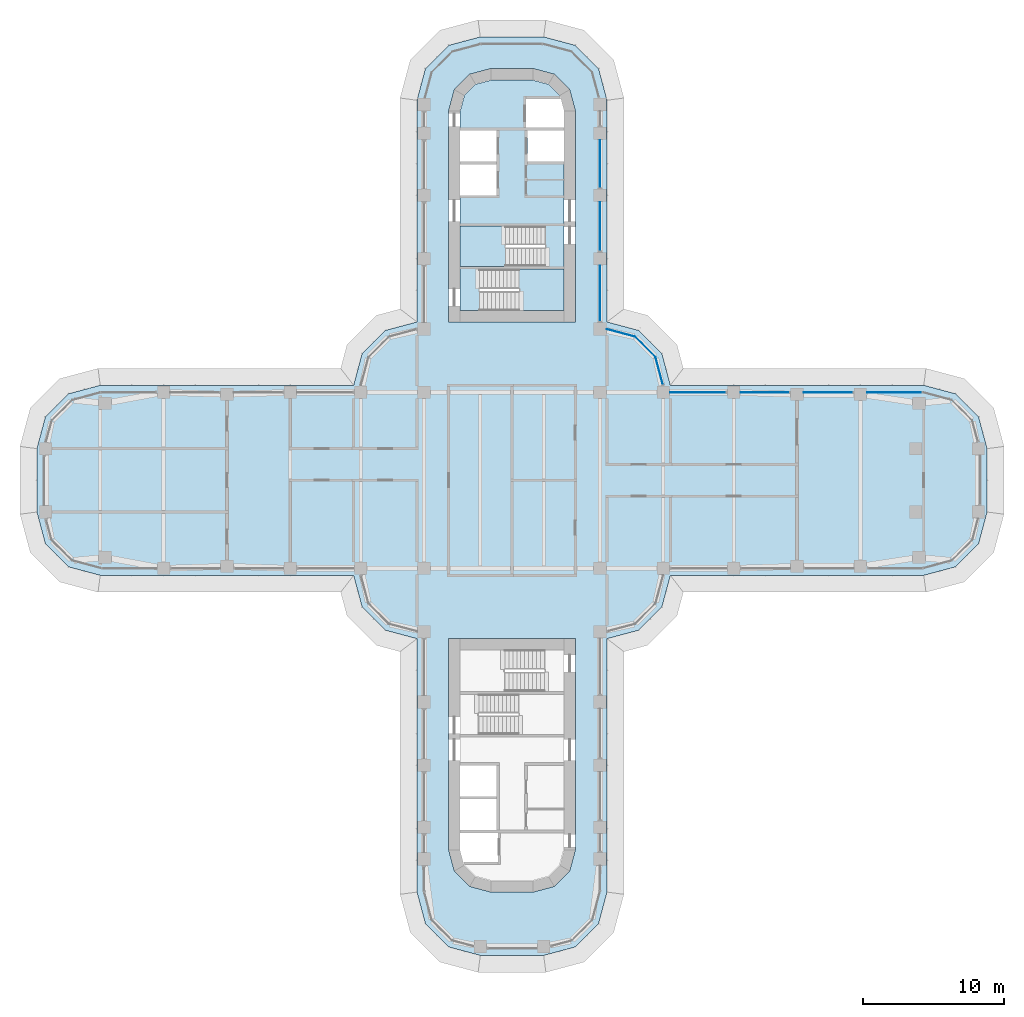
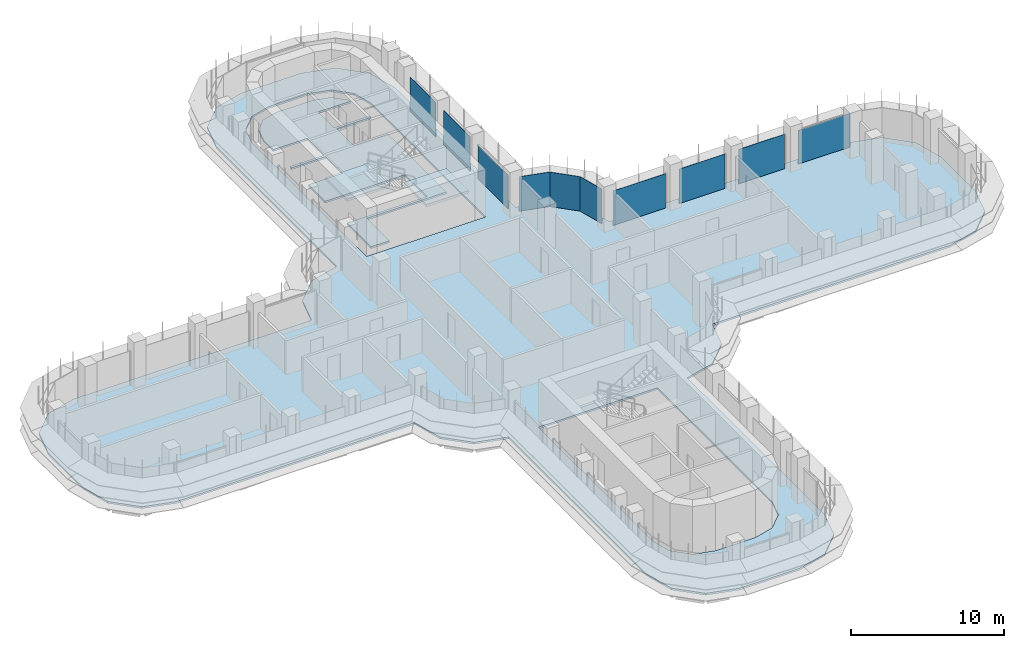
# One storey, part 14 of 22: 10 plates, 4 slabs, 7 elements without a shape of their own.
"""IFC4 building model written with IfcOpenShell, lengths in metres."""

from ifc_helpers import new_model, si_unit, direction, frame, origin, place, context, subcontext, project, spatial, polyline, outline, extrude, source, transform, mapped, material, layer, layer_set, type_object, element, aggregate, save


model = new_model("IFC4")

# Units and contexts
model_context = context("Model", 3, precision=1e-05, world=origin(), true_north=direction((0.0, 1.0)))
body_context = subcontext(model_context, "Body", "Model", "MODEL_VIEW")
ifc_project = project(units=[si_unit("LENGTHUNIT", "METRE"), si_unit("AREAUNIT", "SQUARE_METRE"), si_unit("VOLUMEUNIT", "CUBIC_METRE"), si_unit("PLANEANGLEUNIT", "RADIAN"), si_unit("MASSUNIT", "GRAM", prefix="KILO")], contexts=[model_context])

# Site, building, storey
site_placement = place(None, origin())
site = spatial("IfcSite", under=ifc_project, at=site_placement, CompositionType="ELEMENT")
building_placement = place(site_placement, origin())
building = spatial("IfcBuilding", under=site, at=building_placement, Name="Zarbagh Exchange Tower", CompositionType="ELEMENT")
storey_placement = place(building_placement, frame((0.0, 0.0, 105.60009765625)))
storey = spatial("IfcBuildingStorey", under=building, at=storey_placement, Name="L24", CompositionType="ELEMENT", Elevation=105.60009765625)

# Slabs
ifc_material_1 = material(Name="Concrete C40/50", Category="concrete")
ifc_layer_1 = layer(ifc_material_1, 0.14990234375)
ifc_layer_set_1 = layer_set([ifc_layer_1], Name="Composite floor slab 150 C40/50")
slab_type_1 = type_object("IfcSlabType", Name="Composite floor slab 150 C40/50", PredefinedType="FLOOR", material=ifc_layer_set_1)
slab_1_placement = place(storey_placement, frame((0.0, 0.0, -0.150146484375)))
element("IfcSlab", 1, at=slab_1_placement, inside=storey, type_object=slab_type_1, Name="S5 composite floor slab", PredefinedType="FLOOR", context=body_context, shape_type="SweptSolid", body=[
    extrude(outline(polyline([(-2.25, -33.75), (-4.5, -33.147216796875), (-6.147216796875, -31.5), (-6.75, -29.25), (-6.75, -11.25), (-9.0, -10.647216796875), (-10.647216796875, -9.0), (-11.25, -6.75), (-29.25, -6.75), (-31.5, -6.147216796875), (-33.147216796875, -4.5), (-33.75, -2.25), (-33.75, 2.25), (-33.147216796875, 4.5), (-31.5, 6.147216796875), (-29.25, 6.75), (-11.25, 6.75), (-10.647216796875, 9.0), (-9.0, 10.647216796875), (-6.75, 11.25), (-6.75, 27.0), (-6.147216796875, 29.25), (-4.5, 30.897216796875), (-2.25, 31.5), (2.25, 31.5), (4.5, 30.897216796875), (6.147216796875, 29.25), (6.75, 27.0), (6.75, 11.25), (9.0, 10.647216796875), (10.647216796875, 9.0), (11.25, 6.75), (29.25, 6.75), (31.5, 6.147216796875), (33.147216796875, 4.5), (33.75, 2.25), (33.75, -2.25), (33.147216796875, -4.5), (31.5, -6.147216796875), (29.25, -6.75), (11.25, -6.75), (10.647216796875, -9.0), (9.0, -10.647216796875), (6.75, -11.25), (6.75, -29.25), (6.147216796875, -31.5), (4.5, -33.147216796875), (2.25, -33.75), (-2.25, -33.75)]), holes=[polyline([(4.5, 11.25), (4.5, 26.25), (4.09814453125, 27.75), (3.0, 28.84814453125), (1.5, 29.25), (-1.5, 29.25), (-3.0, 28.84814453125), (-4.09814453125, 27.75), (-4.5, 26.25), (-4.5, 11.25), (4.5, 11.25)]), polyline([(-1.5, -29.25), (1.5, -29.25), (3.0, -28.84814453125), (4.09814453125, -27.75), (4.5, -26.25), (4.5, -11.25), (-4.5, -11.25), (-4.5, -26.25), (-4.09814453125, -27.75), (-3.0, -28.84814453125), (-1.5, -29.25)])]), origin(), (0.0, 0.0, 1.0), 0.150146484375),
])
ifc_layer_2 = layer(ifc_material_1, 0.14990234375)
ifc_layer_set_2 = layer_set([ifc_layer_2], Name="Core floor slab 150 C40/50")
slab_type_2 = type_object("IfcSlabType", Name="Core floor slab 150 C40/50", PredefinedType="FLOOR", material=ifc_layer_set_2)
slab_2_placement = place(storey_placement, frame((0.0, 0.0, -0.150146484375)))
element("IfcSlab", 2, at=slab_2_placement, inside=storey, type_object=slab_type_2, Name="S17 core N", PredefinedType="FLOOR", context=body_context, shape_type="SweptSolid", body=[
    extrude(outline(polyline([(-3.699951171875, 12.050048828125), (-3.699951171875, 15.199951171875), (2.35009765625, 15.199951171875), (2.35009765625, 18.050048828125), (-3.699951171875, 18.050048828125), (-3.699951171875, 20.25), (-1.10009765625, 20.25), (-1.10009765625, 22.449951171875), (-3.699951171875, 22.449951171875), (-3.699951171875, 22.64990234375), (-1.10009765625, 22.64990234375), (-1.10009765625, 24.85009765625), (-3.699951171875, 24.85009765625), (-3.699951171875, 26.144775390625), (-3.380859375, 27.3359375), (-2.5859375, 28.130859375), (-1.394775390625, 28.449951171875), (1.394775390625, 28.449951171875), (2.5859375, 28.130859375), (3.380859375, 27.3359375), (3.646484375, 26.3447265625), (3.444091796875, 27.10009765625), (1.0, 27.10009765625), (1.0, 25.050048828125), (3.699951171875, 25.050048828125), (3.699951171875, 24.85009765625), (1.10009765625, 24.85009765625), (1.10009765625, 22.64990234375), (3.699951171875, 22.64990234375), (3.699951171875, 15.0), (-2.300048828125, 15.0), (-2.300048828125, 12.050048828125), (-3.699951171875, 12.050048828125)])), origin(), (0.0, 0.0, 1.0), 0.150146484375),
])

# Stair, slab
stair_type = type_object("IfcStairType", Name="Exit stair two-flight half-turn", PredefinedType="HALF_TURN_STAIR", material=ifc_material_1)
stair_1_placement = place(storey_placement, origin())
stair_1 = element("IfcStair", 3, at=stair_1_placement, inside=storey, type_object=stair_type, Name="exit stair ST1", PredefinedType="HALF_TURN_STAIR")
ifc_layer_3 = layer(ifc_material_1, 0.199951171875)
ifc_layer_set_3 = layer_set([ifc_layer_3], Name="Stair landing 200 mm")
slab_type_3 = type_object("IfcSlabType", Name="Stair landing 200 mm", PredefinedType="LANDING", material=ifc_layer_set_3)
slab_3_placement = place(storey_placement, frame((0.0, 0.0, 1.699951171875)))
slab_3 = element("IfcSlab", 4, at=slab_3_placement, type_object=slab_type_3, Name="ST1 landing 1", PredefinedType="LANDING", context=body_context, shape_type="SweptSolid", body=[
    extrude(outline(polyline([(-0.449951171875, 18.050048828125), (-3.699951171875, 18.050048828125), (-3.699951171875, 15.199951171875), (-0.449951171875, 15.199951171875), (-0.449951171875, 18.050048828125)])), origin(), (0.0, 0.0, 1.0), 0.199951171875),
])
aggregate(stair_1, [slab_3])

stair_2_placement = place(storey_placement, origin())
stair_2 = element("IfcStair", 5, at=stair_2_placement, inside=storey, type_object=stair_type, Name="exit stair ST2", PredefinedType="HALF_TURN_STAIR")
slab_4_placement = place(storey_placement, frame((0.0, 0.0, 1.699951171875)))
slab_4 = element("IfcSlab", 6, at=slab_4_placement, type_object=slab_type_3, Name="ST2 landing 1", PredefinedType="LANDING", context=body_context, shape_type="SweptSolid", body=[
    extrude(outline(polyline([(0.5, 12.050048828125), (3.699951171875, 12.050048828125), (3.699951171875, 15.0), (0.5, 15.0), (0.5, 12.050048828125)])), origin(), (0.0, 0.0, 1.0), 0.199951171875),
])
aggregate(stair_2, [slab_4])

# Curtain wall, plate
ifc_material_2 = material(Name="Anodised aluminium frame and glazing", Category="aluminium")
curtain_wall_type = type_object("IfcCurtainWallType", Name="CWA Ribbon glazing, lower zones", PredefinedType="NOTDEFINED", material=ifc_material_2)
curtain_wall_1_placement = place(storey_placement, origin())
curtain_wall_1 = element("IfcCurtainWall", 7, at=curtain_wall_1_placement, inside=storey, type_object=curtain_wall_type, Name="CWA18 curtain wall", PredefinedType="NOTDEFINED")
ifc_material_3 = material(Name="Low-e double glazed unit, 6+12+6 mm")
ifc_layer_4 = layer(ifc_material_3, 0.028076171875)
ifc_layer_set_4 = layer_set([ifc_layer_4], Name="PAA Glazing panel, Low-e double glazed unit, 6+12+6 mm")
plate_type = type_object("IfcPlateType", Name="PAA Glazing panel, Low-e double glazed unit, 6+12+6 mm", PredefinedType="CURTAIN_PANEL", material=ifc_layer_set_4)
shared_shape_1 = source(origin(), body_context, "Body", "SweptSolid", [
    extrude(outline(polyline([(0.0, -0.013916015625), (2.061279296875, -0.013916015625), (2.061279296875, 0.013916015625), (0.0, 0.013916015625), (0.0, -0.013916015625)])), origin(), (0.0, 0.0, 1.0), 2.75),
])
placement = place(storey_placement, origin())
plate_1 = element("IfcPlate", 8, at=placement, type_object=plate_type, Name="CWA18 glazing panel 1.1", PredefinedType="CURTAIN_PANEL", context=body_context, shape_type="MappedRepresentation", body=[
    mapped(shared_shape_1, transform((10.19873046875, 8.7412109375, 0.0), x_axis=(-0.707106781187, 0.707106781187, 0.0), y_axis=(-0.707106781187, -0.707106781187, 0.0), z_axis=(0.0, 0.0, 1.0))),
])
aggregate(curtain_wall_1, [plate_1])

curtain_wall_2_placement = place(storey_placement, origin())
curtain_wall_2 = element("IfcCurtainWall", 9, at=curtain_wall_2_placement, inside=storey, type_object=curtain_wall_type, Name="CWA49 curtain wall", PredefinedType="NOTDEFINED")
shared_shape_2 = source(origin(), body_context, "Body", "SweptSolid", [
    extrude(outline(polyline([(0.0, -0.013916015625), (3.360107421875, -0.013916015625), (3.360107421875, 0.013916015625), (0.0, 0.013916015625), (0.0, -0.013916015625)])), origin(), (0.0, 0.0, 1.0), 2.75),
])
plate_2 = element("IfcPlate", 10, at=placement, type_object=plate_type, Name="CWA49 glazing panel 3.1", PredefinedType="CURTAIN_PANEL", context=body_context, shape_type="MappedRepresentation", body=[
    mapped(shared_shape_2, transform((6.25, 20.800048828125, 0.0), x_axis=(0.0, 1.0, 0.0), y_axis=(-1.0, 0.0, 0.0), z_axis=(0.0, 0.0, 1.0))),
])

# Curtain wall, plates
curtain_wall_3_placement = place(storey_placement, origin())
curtain_wall_3 = element("IfcCurtainWall", 11, at=curtain_wall_3_placement, inside=storey, type_object=curtain_wall_type, Name="CWA16 curtain wall", PredefinedType="NOTDEFINED")
shared_shape_3 = source(origin(), body_context, "Body", "SweptSolid", [
    extrude(outline(polyline([(0.0, -0.013916015625), (3.4599609375, -0.013916015625), (3.4599609375, 0.013916015625), (0.0, 0.013916015625), (0.0, -0.013916015625)])), origin(), (0.0, 0.0, 1.0), 2.75),
])
plate_3 = element("IfcPlate", 12, at=placement, type_object=plate_type, Name="CWA16 glazing panel 2.1", PredefinedType="CURTAIN_PANEL", context=body_context, shape_type="MappedRepresentation", body=[
    mapped(shared_shape_3, transform((24.199951171875, 6.25, 0.0), x_axis=(-1.0, 0.0, 0.0), y_axis=(0.0, -1.0, 0.0), z_axis=(0.0, 0.0, 1.0))),
])
plate_4 = element("IfcPlate", 13, at=placement, type_object=plate_type, Name="CWA16 glazing panel 3.1", PredefinedType="CURTAIN_PANEL", context=body_context, shape_type="MappedRepresentation", body=[
    mapped(shared_shape_3, transform((19.699951171875, 6.25, 0.0), x_axis=(-1.0, 0.0, 0.0), y_axis=(0.0, -1.0, 0.0), z_axis=(0.0, 0.0, 1.0))),
])

# Plate
plate_5 = element("IfcPlate", 14, at=placement, type_object=plate_type, Name="CWA49 glazing panel 2.1", PredefinedType="CURTAIN_PANEL", context=body_context, shape_type="MappedRepresentation", body=[
    mapped(shared_shape_3, transform((6.25, 16.300048828125, 0.0), x_axis=(0.0, 1.0, 0.0), y_axis=(-1.0, 0.0, 0.0), z_axis=(0.0, 0.0, 1.0))),
])

shared_shape_4 = source(origin(), body_context, "Body", "SweptSolid", [
    extrude(outline(polyline([(0.0, -0.013916015625), (3.9599609375, -0.013916015625), (3.9599609375, 0.013916015625), (0.0, 0.013916015625), (0.0, -0.013916015625)])), origin(), (0.0, 0.0, 1.0), 2.75),
])
plate_6 = element("IfcPlate", 15, at=placement, type_object=plate_type, Name="CWA16 glazing panel 4.1", PredefinedType="CURTAIN_PANEL", context=body_context, shape_type="MappedRepresentation", body=[
    mapped(shared_shape_4, transform((15.199951171875, 6.25, 0.0), x_axis=(-1.0, 0.0, 0.0), y_axis=(0.0, -1.0, 0.0), z_axis=(0.0, 0.0, 1.0))),
])

# Curtain wall, plate
curtain_wall_4_placement = place(storey_placement, origin())
curtain_wall_4 = element("IfcCurtainWall", 16, at=curtain_wall_4_placement, inside=storey, type_object=curtain_wall_type, Name="CWA17 curtain wall", PredefinedType="NOTDEFINED")
shared_shape_5 = source(origin(), body_context, "Body", "SweptSolid", [
    extrude(outline(polyline([(0.0, -0.013916015625), (2.01171875, -0.013916015625), (2.01171875, 0.013916015625), (0.0, 0.013916015625), (0.0, -0.013916015625)])), origin(), (0.0, 0.0, 1.0), 2.75),
])
plate_7 = element("IfcPlate", 17, at=placement, type_object=plate_type, Name="CWA17 glazing panel 1.1", PredefinedType="CURTAIN_PANEL", context=body_context, shape_type="MappedRepresentation", body=[
    mapped(shared_shape_5, transform((10.719482421875, 6.7978515625, 0.0), x_axis=(-0.258824779902, 0.965924289636, 0.0), y_axis=(-0.965924289636, -0.258824779902, 0.0), z_axis=(0.0, 0.0, 1.0))),
])
aggregate(curtain_wall_4, [plate_7])

curtain_wall_5_placement = place(storey_placement, origin())
curtain_wall_5 = element("IfcCurtainWall", 18, at=curtain_wall_5_placement, inside=storey, type_object=curtain_wall_type, Name="CWA19 curtain wall", PredefinedType="NOTDEFINED")
shared_shape_6 = source(origin(), body_context, "Body", "SweptSolid", [
    extrude(outline(polyline([(0.0, -0.013916015625), (2.07177734375, -0.013916015625), (2.07177734375, 0.013916015625), (0.0, 0.013916015625), (0.0, -0.013916015625)])), origin(), (0.0, 0.0, 1.0), 2.75),
])
plate_8 = element("IfcPlate", 19, at=placement, type_object=plate_type, Name="CWA19 glazing panel 1.1", PredefinedType="CURTAIN_PANEL", context=body_context, shape_type="MappedRepresentation", body=[
    mapped(shared_shape_6, transform((8.7412109375, 10.19873046875, 0.0), x_axis=(-0.965924289636, 0.258824779902, 0.0), y_axis=(-0.258824779902, -0.965924289636, 0.0), z_axis=(0.0, 0.0, 1.0))),
])
aggregate(curtain_wall_5, [plate_8])

# Plate
shared_shape_7 = source(origin(), body_context, "Body", "SweptSolid", [
    extrude(outline(polyline([(0.0, -0.013916015625), (3.9599609375, -0.013916015625), (3.9599609375, 0.013916015625), (0.0, 0.013916015625), (0.0, -0.013916015625)])), origin(), (0.0, 0.0, 1.0), 2.68994140625),
])
plate_9 = element("IfcPlate", 20, at=placement, type_object=plate_type, Name="CWA49 glazing panel 1.1", PredefinedType="CURTAIN_PANEL", context=body_context, shape_type="MappedRepresentation", body=[
    mapped(shared_shape_7, transform((6.25, 11.300048828125, 0.0), x_axis=(0.0, 1.0, 0.0), y_axis=(-1.0, 0.0, 0.0), z_axis=(0.0, 0.0, 1.0))),
])

aggregate(curtain_wall_2, [plate_9, plate_5, plate_2])

shared_shape_8 = source(origin(), body_context, "Body", "SweptSolid", [
    extrude(outline(polyline([(0.0, -0.013916015625), (3.88427734375, -0.013916015625), (3.88427734375, 0.013916015625), (0.0, 0.013916015625), (0.0, -0.013916015625)])), origin(), (0.0, 0.0, 1.0), 2.68994140625),
])
plate_10 = element("IfcPlate", 21, at=placement, type_object=plate_type, Name="CWA16 glazing panel 1.1", PredefinedType="CURTAIN_PANEL", context=body_context, shape_type="MappedRepresentation", body=[
    mapped(shared_shape_8, transform((29.124267578125, 6.25, 0.0), x_axis=(-1.0, 0.0, 0.0), y_axis=(0.0, -1.0, 0.0), z_axis=(0.0, 0.0, 1.0))),
])

aggregate(curtain_wall_3, [plate_10, plate_3, plate_4, plate_6])

save(model, "model.ifc")
